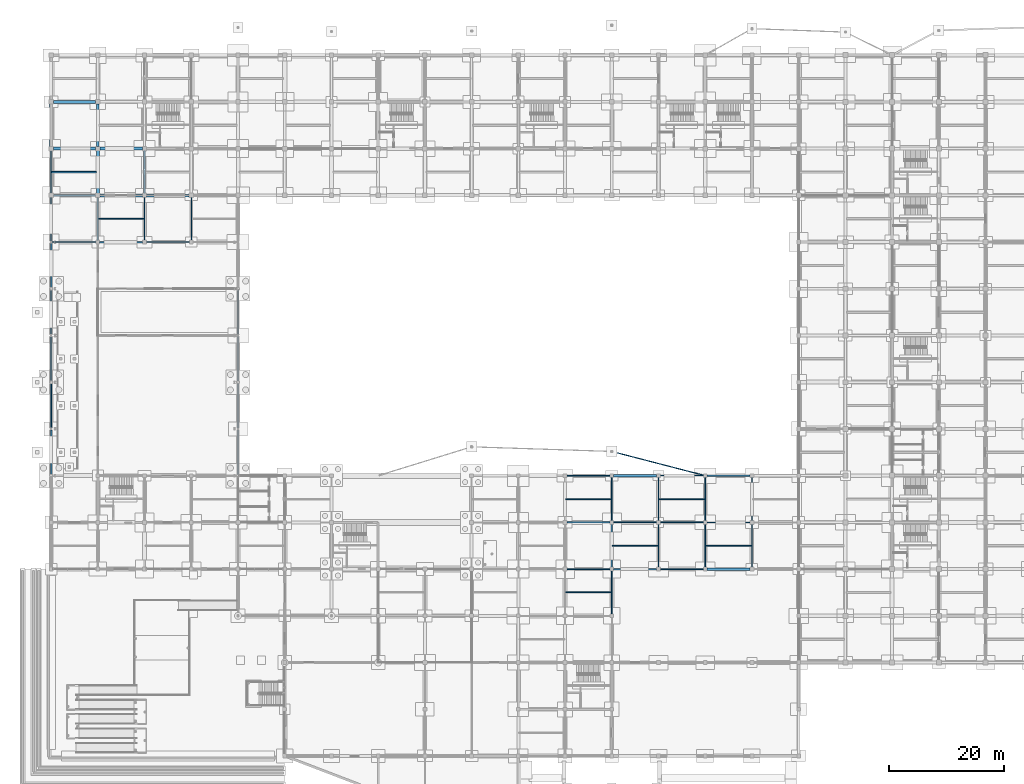
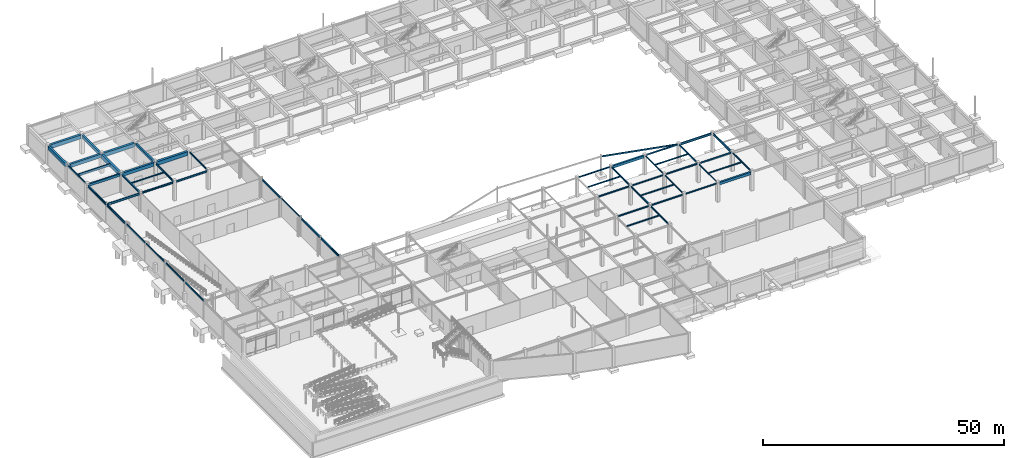
# One storey, part 38 of 67: 56 beams.
"""IFC4 building model written with IfcOpenShell, lengths in metres."""

from ifc_helpers import new_model, si_unit, direction, frame, origin, origin_2d, place, context, subcontext, project, spatial, rectangle, hollow_rectangle, i_section, extrude, material, material_profile, profile_set, type_object, element, save


model = new_model("IFC4")

# Units and contexts
model_context = context("Model", 3, precision=1e-05, world=origin(), true_north=direction((0.0, 1.0)))
body_context = subcontext(model_context, "Body", "Model", "MODEL_VIEW")
ifc_project = project(units=[si_unit("LENGTHUNIT", "METRE"), si_unit("AREAUNIT", "SQUARE_METRE"), si_unit("VOLUMEUNIT", "CUBIC_METRE"), si_unit("PLANEANGLEUNIT", "RADIAN"), si_unit("MASSUNIT", "GRAM", prefix="KILO")], contexts=[model_context])

# Site, building, storey
site_placement = place(None, origin())
site = spatial("IfcSite", under=ifc_project, at=site_placement, CompositionType="ELEMENT")
building_placement = place(site_placement, origin())
building = spatial("IfcBuilding", under=site, at=building_placement, Name="Vaudrelin Polytechnic", CompositionType="ELEMENT")
storey_placement = place(building_placement, frame((0.0, 0.0, -5.10009765625)))
storey = spatial("IfcBuildingStorey", under=building, at=storey_placement, Name="B1", CompositionType="ELEMENT", Elevation=-5.10009765625)

# Beams
ifc_material_1 = material(Name="Concrete 40 MPa", Category="concrete")
ifc_material_profile_1 = material_profile(ifc_material_1, rectangle(XDim=0.35009765625, YDim=0.60009765625, at=origin_2d()), Name="RC350x600")
ifc_profile_set_1 = profile_set([ifc_material_profile_1], Name="Concrete 40 MPa")
beam_type_1 = type_object("IfcBeamType", Name="BM-BM-RC3560", PredefinedType="BEAM", material=ifc_profile_set_1)
beam_1_placement = place(storey_placement, frame((0.37109375, 97.199951171875, 4.420166015625), z_axis=(1.0, 0.0, 0.0), x_axis=(0.0, 1.0, 0.0)))
element("IfcBeam", 1, at=beam_1_placement, inside=storey, type_object=beam_type_1, Name="B1 X-beam 1-13", PredefinedType="BEAM", context=body_context, shape_type="SweptSolid", body=[
    extrude(rectangle(XDim=0.35009765625, YDim=0.60009765625, at=origin_2d()), origin(), (0.0, 0.0, 1.0), 7.35791015625),
])
ifc_material_profile_2 = material_profile(ifc_material_1, rectangle(XDim=0.39990234375, YDim=0.64990234375, at=origin_2d()), Name="RC400x650")
ifc_profile_set_2 = profile_set([ifc_material_profile_2], Name="Concrete 40 MPa")
beam_type_2 = type_object("IfcBeamType", Name="BM-BM-RC4065", PredefinedType="BEAM", material=ifc_profile_set_2)
beam_2_placement = place(storey_placement, frame((16.199951171875, 97.56005859375, 4.455078125), z_axis=(0.0, 1.0, 0.0), x_axis=(-1.0, 0.0, 0.0)))
element("IfcBeam", 2, at=beam_2_placement, inside=storey, type_object=beam_type_2, Name="B1 Y-beam 3-13", PredefinedType="BEAM", context=body_context, shape_type="SweptSolid", body=[
    extrude(rectangle(XDim=0.39990234375, YDim=0.64990234375, at=origin_2d()), origin(), (0.0, 0.0, 1.0), 7.3798828125),
])
ifc_material_profile_3 = material_profile(ifc_material_1, rectangle(XDim=0.449951171875, YDim=0.75, at=origin_2d()), Name="RC450x750")
ifc_profile_set_3 = profile_set([ifc_material_profile_3], Name="Concrete 40 MPa")
beam_type_3 = type_object("IfcBeamType", Name="BM-BM-RC4575", PredefinedType="BEAM", material=ifc_profile_set_3)
beam_3_placement = place(storey_placement, frame((8.10009765625, 105.659912109375, 4.405029296875), z_axis=(0.0, 1.0, 0.0), x_axis=(-1.0, 0.0, 0.0)))
element("IfcBeam", 3, at=beam_3_placement, inside=storey, type_object=beam_type_3, Name="B1 Y-beam 2-14", PredefinedType="BEAM", context=body_context, shape_type="SweptSolid", body=[
    extrude(rectangle(XDim=0.449951171875, YDim=0.75, at=origin_2d()), origin(), (0.0, 0.0, 1.0), 7.380126953125),
])
ifc_material_profile_4 = material_profile(ifc_material_1, rectangle(XDim=0.5, YDim=0.85009765625, at=origin_2d()), Name="RC500x850")
ifc_profile_set_4 = profile_set([ifc_material_profile_4], Name="Concrete 40 MPa")
beam_type_4 = type_object("IfcBeamType", Name="BM-BM-RC5085", PredefinedType="BEAM", material=ifc_profile_set_4)
beam_4_placement = place(storey_placement, frame((0.0, 105.659912109375, 4.35498046875), z_axis=(0.0, 1.0, 0.0), x_axis=(-1.0, 0.0, 0.0)))
element("IfcBeam", 4, at=beam_4_placement, inside=storey, type_object=beam_type_4, Name="B1 Y-beam 1-14", PredefinedType="BEAM", context=body_context, shape_type="SweptSolid", body=[
    extrude(rectangle(XDim=0.5, YDim=0.85009765625, at=origin_2d()), origin(), (0.0, 0.0, 1.0), 7.380126953125),
])
beam_5_placement = place(storey_placement, frame((0.37109375, 105.300048828125, 4.35498046875), z_axis=(1.0, 0.0, 0.0), x_axis=(0.0, 1.0, 0.0)))
element("IfcBeam", 5, at=beam_5_placement, inside=storey, type_object=beam_type_4, Name="B1 X-beam 1-14", PredefinedType="BEAM", context=body_context, shape_type="SweptSolid", body=[
    extrude(rectangle(XDim=0.5, YDim=0.85009765625, at=origin_2d()), origin(), (0.0, 0.0, 1.0), 7.35791015625),
])
beam_6_placement = place(storey_placement, frame((8.470947265625, 97.199951171875, 4.295166015625), z_axis=(1.0, 0.0, 0.0), x_axis=(0.0, 1.0, 0.0)))
element("IfcBeam", 6, at=beam_6_placement, inside=storey, type_object=beam_type_4, Name="B1 X-beam 2-13", PredefinedType="BEAM", context=body_context, shape_type="SweptSolid", body=[
    extrude(rectangle(XDim=0.5, YDim=0.85009765625, at=origin_2d()), origin(), (0.0, 0.0, 1.0), 7.358154296875),
])
ifc_material_2 = material(Name="Concrete 50 MPa", Category="concrete")
ifc_material_profile_5 = material_profile(ifc_material_2, rectangle(XDim=0.550048828125, YDim=0.949951171875, at=origin_2d()), Name="RC550x950")
ifc_profile_set_5 = profile_set([ifc_material_profile_5], Name="Concrete 50 MPa")
beam_type_5 = type_object("IfcBeamType", Name="BM-BM-RC5595", PredefinedType="BEAM", material=ifc_profile_set_5)
beam_7_placement = place(storey_placement, frame((8.10009765625, 97.56005859375, 4.30517578125), z_axis=(0.0, 1.0, 0.0), x_axis=(-1.0, 0.0, 0.0)))
element("IfcBeam", 7, at=beam_7_placement, inside=storey, type_object=beam_type_5, Name="B1 Y-beam 2-13", PredefinedType="BEAM", context=body_context, shape_type="SweptSolid", body=[
    extrude(rectangle(XDim=0.550048828125, YDim=0.949951171875, at=origin_2d()), origin(), (0.0, 0.0, 1.0), 7.3798828125),
])
beam_8_placement = place(storey_placement, frame((0.37109375, 113.39990234375, 4.30517578125), z_axis=(1.0, 0.0, 0.0), x_axis=(0.0, 1.0, 0.0)))
element("IfcBeam", 8, at=beam_8_placement, inside=storey, type_object=beam_type_5, Name="B1 X-beam 1-15", PredefinedType="BEAM", context=body_context, shape_type="SweptSolid", body=[
    extrude(rectangle(XDim=0.550048828125, YDim=0.949951171875, at=origin_2d()), origin(), (0.0, 0.0, 1.0), 7.35791015625),
])
beam_9_placement = place(storey_placement, frame((8.470947265625, 105.300048828125, 4.30517578125), z_axis=(1.0, 0.0, 0.0), x_axis=(0.0, 1.0, 0.0)))
element("IfcBeam", 9, at=beam_9_placement, inside=storey, type_object=beam_type_5, Name="B1 X-beam 2-14", PredefinedType="BEAM", context=body_context, shape_type="SweptSolid", body=[
    extrude(rectangle(XDim=0.550048828125, YDim=0.949951171875, at=origin_2d()), origin(), (0.0, 0.0, 1.0), 7.358154296875),
])
beam_10_placement = place(storey_placement, frame((16.571044921875, 97.199951171875, 4.2451171875), z_axis=(1.0, 0.0, 0.0), x_axis=(0.0, 1.0, 0.0)))
element("IfcBeam", 10, at=beam_10_placement, inside=storey, type_object=beam_type_5, Name="B1 X-beam 3-13", PredefinedType="BEAM", context=body_context, shape_type="SweptSolid", body=[
    extrude(rectangle(XDim=0.550048828125, YDim=0.949951171875, at=origin_2d()), origin(), (0.0, 0.0, 1.0), 7.35791015625),
])
ifc_material_3 = material(Name="Steel CSA G40.21 350W", Category="steel")
ifc_material_profile_6 = material_profile(ifc_material_3, i_section(OverallWidth=0.178955078125, OverallDepth=0.409912109375, WebThickness=0.0087890625, FlangeThickness=0.014404296875, FilletRadius=0.01611328125, at=origin_2d()), Name="W410x67")
ifc_profile_set_6 = profile_set([ifc_material_profile_6], Name="Steel CSA G40.21 350W")
beam_type_6 = type_object("IfcBeamType", Name="BM-BM-W410", PredefinedType="BEAM", material=ifc_profile_set_6)
beam_11_placement = place(storey_placement, frame((24.300048828125, 89.409912109375, 4.51513671875), z_axis=(0.0, 1.0, 0.0), x_axis=(-1.0, 0.0, 0.0)))
element("IfcBeam", 11, at=beam_11_placement, inside=storey, type_object=beam_type_6, Name="B1 Y-beam 4-12", PredefinedType="BEAM", context=body_context, shape_type="SweptSolid", body=[
    extrude(i_section(OverallWidth=0.178955078125, OverallDepth=0.409912109375, WebThickness=0.0087890625, FlangeThickness=0.014404296875, FilletRadius=0.01611328125, at=origin_2d()), origin(), (0.0, 0.0, 1.0), 7.43017578125),
])
ifc_material_4 = material(Name="Steel CSA G40.21 350WT", Category="steel")
ifc_material_profile_7 = material_profile(ifc_material_4, i_section(OverallWidth=0.260009765625, OverallDepth=0.4150390625, WebThickness=0.010009765625, FlangeThickness=0.016845703125, FilletRadius=0.01611328125, at=origin_2d()), Name="W410x100")
ifc_profile_set_7 = profile_set([ifc_material_profile_7], Name="Steel CSA G40.21 350WT")
beam_type_7 = type_object("IfcBeamType", Name="BM-BM-W410H", PredefinedType="SPANDREL", material=ifc_profile_set_7)
beam_12_placement = place(storey_placement, frame((8.4208984375, 89.10009765625, 4.5126953125), z_axis=(1.0, 0.0, 0.0), x_axis=(0.0, 1.0, 0.0)))
element("IfcBeam", 12, at=beam_12_placement, inside=storey, type_object=beam_type_7, Name="B1 X-beam 2-12", PredefinedType="SPANDREL", context=body_context, shape_type="SweptSolid", body=[
    extrude(i_section(OverallWidth=0.260009765625, OverallDepth=0.4150390625, WebThickness=0.010009765625, FlangeThickness=0.016845703125, FilletRadius=0.01611328125, at=origin_2d()), origin(), (0.0, 0.0, 1.0), 7.4580078125),
])
ifc_material_profile_8 = material_profile(ifc_material_4, i_section(OverallWidth=0.19091796875, OverallDepth=0.4599609375, WebThickness=0.010009765625, FlangeThickness=0.01611328125, FilletRadius=0.01806640625, at=origin_2d()), Name="W460x82")
ifc_profile_set_8 = profile_set([ifc_material_profile_8], Name="Steel CSA G40.21 350WT")
beam_type_8 = type_object("IfcBeamType", Name="BM-BM-W460", PredefinedType="BEAM", material=ifc_profile_set_8)
beam_13_placement = place(storey_placement, frame((16.199951171875, 89.409912109375, 4.489990234375), z_axis=(0.0, 1.0, 0.0), x_axis=(-1.0, 0.0, 0.0)))
element("IfcBeam", 13, at=beam_13_placement, inside=storey, type_object=beam_type_8, Name="B1 Y-beam 3-12", PredefinedType="BEAM", context=body_context, shape_type="SweptSolid", body=[
    extrude(i_section(OverallWidth=0.19091796875, OverallDepth=0.4599609375, WebThickness=0.010009765625, FlangeThickness=0.01611328125, FilletRadius=0.01806640625, at=origin_2d()), origin(), (0.0, 0.0, 1.0), 7.43017578125),
])
beam_14_placement = place(storey_placement, frame((32.39990234375, 73.0615234375, 4.489990234375), z_axis=(0.0, 1.0, 0.0), x_axis=(-1.0, 0.0, 0.0)))
element("IfcBeam", 14, at=beam_14_placement, inside=storey, type_object=beam_type_8, Name="B1 Y-beam 5-10", PredefinedType="BEAM", context=body_context, shape_type="SweptSolid", body=[
    extrude(i_section(OverallWidth=0.19091796875, OverallDepth=0.4599609375, WebThickness=0.010009765625, FlangeThickness=0.01611328125, FilletRadius=0.01806640625, at=origin_2d()), origin(), (0.0, 0.0, 1.0), 7.699462890625),
])
beam_15_placement = place(storey_placement, frame((16.52099609375, 89.10009765625, 4.489990234375), z_axis=(1.0, 0.0, 0.0), x_axis=(0.0, 1.0, 0.0)))
element("IfcBeam", 15, at=beam_15_placement, inside=storey, type_object=beam_type_8, Name="B1 X-beam 3-12", PredefinedType="BEAM", context=body_context, shape_type="SweptSolid", body=[
    extrude(i_section(OverallWidth=0.19091796875, OverallDepth=0.4599609375, WebThickness=0.010009765625, FlangeThickness=0.01611328125, FilletRadius=0.01806640625, at=origin_2d()), origin(), (0.0, 0.0, 1.0), 7.4580078125),
])
ifc_material_profile_9 = material_profile(ifc_material_3, i_section(OverallWidth=0.280029296875, OverallDepth=0.462890625, WebThickness=0.0107421875, FlangeThickness=0.017333984375, FilletRadius=0.01806640625, at=origin_2d()), Name="W460x113")
ifc_profile_set_9 = profile_set([ifc_material_profile_9], Name="Steel CSA G40.21 350W")
beam_type_9 = type_object("IfcBeamType", Name="BM-BM-W460H", PredefinedType="BEAM", material=ifc_profile_set_9)
beam_16_placement = place(storey_placement, frame((8.10009765625, 89.409912109375, 4.488525390625), z_axis=(0.0, 1.0, 0.0), x_axis=(-1.0, 0.0, 0.0)))
element("IfcBeam", 16, at=beam_16_placement, inside=storey, type_object=beam_type_9, Name="B1 Y-beam 2-12", PredefinedType="BEAM", context=body_context, shape_type="SweptSolid", body=[
    extrude(i_section(OverallWidth=0.280029296875, OverallDepth=0.462890625, WebThickness=0.0107421875, FlangeThickness=0.017333984375, FilletRadius=0.01806640625, at=origin_2d()), origin(), (0.0, 0.0, 1.0), 7.43017578125),
])
ifc_material_profile_10 = material_profile(ifc_material_3, i_section(OverallWidth=0.208984375, OverallDepth=0.532958984375, WebThickness=0.01025390625, FlangeThickness=0.015625, FilletRadius=0.01904296875, at=origin_2d()), Name="W530x92")
ifc_profile_set_10 = profile_set([ifc_material_profile_10], Name="Steel CSA G40.21 350W")
beam_type_10 = type_object("IfcBeamType", Name="BM-BM-W530", PredefinedType="BEAM", material=ifc_profile_set_10)
beam_17_placement = place(storey_placement, frame((0.0, 89.261474609375, 4.45361328125), z_axis=(0.0, 1.0, 0.0), x_axis=(-1.0, 0.0, 0.0)))
element("IfcBeam", 17, at=beam_17_placement, inside=storey, type_object=beam_type_10, Name="B1 Y-beam 1-12", PredefinedType="BEAM", context=body_context, shape_type="SweptSolid", body=[
    extrude(i_section(OverallWidth=0.208984375, OverallDepth=0.532958984375, WebThickness=0.01025390625, FlangeThickness=0.015625, FilletRadius=0.01904296875, at=origin_2d()), origin(), (0.0, 0.0, 1.0), 7.57861328125),
])
beam_18_placement = place(storey_placement, frame((32.39990234375, 56.861572265625, 4.45361328125), z_axis=(0.0, 1.0, 0.0), x_axis=(-1.0, 0.0, 0.0)))
element("IfcBeam", 18, at=beam_18_placement, inside=storey, type_object=beam_type_10, Name="B1 Y-beam 5-8", PredefinedType="BEAM", context=body_context, shape_type="SweptSolid", body=[
    extrude(i_section(OverallWidth=0.208984375, OverallDepth=0.532958984375, WebThickness=0.01025390625, FlangeThickness=0.015625, FilletRadius=0.01904296875, at=origin_2d()), origin(), (0.0, 0.0, 1.0), 7.699462890625),
])
beam_19_placement = place(storey_placement, frame((0.123046875, 89.10009765625, 4.45361328125), z_axis=(1.0, 0.0, 0.0), x_axis=(0.0, 1.0, 0.0)))
element("IfcBeam", 19, at=beam_19_placement, inside=storey, type_object=beam_type_10, Name="B1 X-beam 1-12", PredefinedType="BEAM", context=body_context, shape_type="SweptSolid", body=[
    extrude(i_section(OverallWidth=0.208984375, OverallDepth=0.532958984375, WebThickness=0.01025390625, FlangeThickness=0.015625, FilletRadius=0.01904296875, at=origin_2d()), origin(), (0.0, 0.0, 1.0), 7.656005859375),
])
ifc_material_profile_11 = material_profile(ifc_material_3, i_section(OverallWidth=0.214111328125, OverallDepth=0.549072265625, WebThickness=0.0146484375, FlangeThickness=0.023681640625, FilletRadius=0.01904296875, at=origin_2d()), Name="W530x138")
ifc_profile_set_11 = profile_set([ifc_material_profile_11], Name="Steel CSA G40.21 350W")
beam_type_11 = type_object("IfcBeamType", Name="BM-BM-W530H", PredefinedType="BEAM", material=ifc_profile_set_11)
for number, where, z_axis, x_axis, name in (
    (20, (0.0, 81.239013671875, 4.445556640625), (0.0, 1.0, 0.0), (-1.0, 0.0, 0.0), "B1 Y-beam 1-11"),
    (21, (32.39990234375, 48.839111328125, 4.445556640625), (0.0, 1.0, 0.0), (-1.0, 0.0, 0.0), "B1 Y-beam 5-7"),
):
    element("IfcBeam", number, at=place(storey_placement, frame(where, z_axis=z_axis, x_axis=x_axis)), inside=storey, type_object=beam_type_11, Name=name, PredefinedType="BEAM", context=body_context, shape_type="SweptSolid", body=[
        extrude(i_section(OverallWidth=0.214111328125, OverallDepth=0.549072265625, WebThickness=0.0146484375, FlangeThickness=0.023681640625, FilletRadius=0.01904296875, at=origin_2d()), origin(), (0.0, 0.0, 1.0), 7.699462890625),
    ])
beam_20_placement = place(storey_placement, frame((121.5, 40.81005859375, 4.505615234375), z_axis=(0.0, 1.0, 0.0), x_axis=(-1.0, 0.0, 0.0)))
element("IfcBeam", 22, at=beam_20_placement, inside=storey, type_object=beam_type_11, Name="B1 Y-beam 16-6", PredefinedType="BEAM", context=body_context, shape_type="SweptSolid", body=[
    extrude(i_section(OverallWidth=0.214111328125, OverallDepth=0.549072265625, WebThickness=0.0146484375, FlangeThickness=0.023681640625, FilletRadius=0.01904296875, at=origin_2d()), origin(), (0.0, 0.0, 1.0), 7.47998046875),
])
beam_21_placement = place(storey_placement, frame((113.720947265625, 48.60009765625, 4.505615234375), z_axis=(1.0, 0.0, 0.0), x_axis=(0.0, 1.0, 0.0)))
element("IfcBeam", 23, at=beam_21_placement, inside=storey, type_object=beam_type_11, Name="B1 X-beam 15-7", PredefinedType="BEAM", context=body_context, shape_type="SweptSolid", body=[
    extrude(i_section(OverallWidth=0.214111328125, OverallDepth=0.549072265625, WebThickness=0.0146484375, FlangeThickness=0.023681640625, FilletRadius=0.01904296875, at=origin_2d()), origin(), (0.0, 0.0, 1.0), 7.4580078125),
])
ifc_material_profile_12 = material_profile(ifc_material_1, rectangle(XDim=0.300048828125, YDim=0.5, at=origin_2d()), Name="RC300x500")
ifc_profile_set_12 = profile_set([ifc_material_profile_12], Name="Concrete 40 MPa")
beam_type_12 = type_object("IfcBeamType", Name="BM-JS-RC3050", PredefinedType="JOIST", material=ifc_profile_set_12)
beam_22_placement = place(storey_placement, frame((0.097412109375, 101.25, 4.530029296875), z_axis=(1.0, 0.0, 0.0), x_axis=(0.0, 1.0, 0.0)))
element("IfcBeam", 24, at=beam_22_placement, inside=storey, type_object=beam_type_12, Name="B1 floor joist 1-13", PredefinedType="JOIST", context=body_context, shape_type="SweptSolid", body=[
    extrude(rectangle(XDim=0.300048828125, YDim=0.5, at=origin_2d()), origin(), (0.0, 0.0, 1.0), 7.731689453125),
])
ifc_material_profile_13 = material_profile(ifc_material_3, i_section(OverallWidth=0.14794921875, OverallDepth=0.26611328125, WebThickness=0.007568359375, FlangeThickness=0.012939453125, FilletRadius=0.012939453125, at=origin_2d()), Name="W250x45")
ifc_profile_set_13 = profile_set([ifc_material_profile_13], Name="Steel CSA G40.21 350W")
beam_type_13 = type_object("IfcBeamType", Name="BM-JS-W250", PredefinedType="JOIST", material=ifc_profile_set_13)
for number, where, z_axis, x_axis, name in (
    (25, (105.300048828125, 40.81005859375, 4.647216796875), (0.0, 1.0, 0.0), (-1.0, 0.0, 0.0), "B1 Y-beam 14-6"),
    (26, (113.39990234375, 32.7099609375, 4.647216796875), (0.0, 1.0, 0.0), (-1.0, 0.0, 0.0), "B1 Y-beam 15-5"),
):
    element("IfcBeam", number, at=place(storey_placement, frame(where, z_axis=z_axis, x_axis=x_axis)), inside=storey, type_object=beam_type_13, Name=name, PredefinedType="JOIST", context=body_context, shape_type="SweptSolid", body=[
        extrude(i_section(OverallWidth=0.14794921875, OverallDepth=0.26611328125, WebThickness=0.007568359375, FlangeThickness=0.012939453125, FilletRadius=0.012939453125, at=origin_2d()), origin(), (0.0, 0.0, 1.0), 7.47998046875),
    ])
beam_23_placement = place(storey_placement, frame((105.62109375, 40.5, 4.647216796875), z_axis=(1.0, 0.0, 0.0), x_axis=(0.0, 1.0, 0.0)))
element("IfcBeam", 27, at=beam_23_placement, inside=storey, type_object=beam_type_13, Name="B1 X-beam 14-6", PredefinedType="JOIST", context=body_context, shape_type="SweptSolid", body=[
    extrude(i_section(OverallWidth=0.14794921875, OverallDepth=0.26611328125, WebThickness=0.007568359375, FlangeThickness=0.012939453125, FilletRadius=0.012939453125, at=origin_2d()), origin(), (0.0, 0.0, 1.0), 7.4580078125),
])
ifc_material_profile_14 = material_profile(ifc_material_3, i_section(OverallWidth=0.1669921875, OverallDepth=0.31689453125, WebThickness=0.007568359375, FlangeThickness=0.01318359375, FilletRadius=0.013916015625, at=origin_2d()), Name="W310x52")
ifc_profile_set_14 = profile_set([ifc_material_profile_14], Name="Steel CSA G40.21 350W")
beam_type_14 = type_object("IfcBeamType", Name="BM-JS-W310", PredefinedType="JOIST", material=ifc_profile_set_14)
beam_24_placement = place(storey_placement, frame((0.0, 56.861572265625, 4.5615234375), z_axis=(0.0, 1.0, 0.0), x_axis=(-1.0, 0.0, 0.0)))
element("IfcBeam", 28, at=beam_24_placement, inside=storey, type_object=beam_type_14, Name="B1 Y-beam 1-8", PredefinedType="JOIST", context=body_context, shape_type="SweptSolid", body=[
    extrude(i_section(OverallWidth=0.1669921875, OverallDepth=0.31689453125, WebThickness=0.007568359375, FlangeThickness=0.01318359375, FilletRadius=0.013916015625, at=origin_2d()), origin(), (0.0, 0.0, 1.0), 7.699462890625),
])
for number, where, z_axis, x_axis, name in (
    (29, (97.199951171875, 40.81005859375, 4.62158203125), (0.0, 1.0, 0.0), (-1.0, 0.0, 0.0), "B1 Y-beam 13-6"),
    (30, (105.300048828125, 32.7099609375, 4.62158203125), (0.0, 1.0, 0.0), (-1.0, 0.0, 0.0), "B1 Y-beam 14-5"),
):
    element("IfcBeam", number, at=place(storey_placement, frame(where, z_axis=z_axis, x_axis=x_axis)), inside=storey, type_object=beam_type_14, Name=name, PredefinedType="JOIST", context=body_context, shape_type="SweptSolid", body=[
        extrude(i_section(OverallWidth=0.1669921875, OverallDepth=0.31689453125, WebThickness=0.007568359375, FlangeThickness=0.01318359375, FilletRadius=0.013916015625, at=origin_2d()), origin(), (0.0, 0.0, 1.0), 7.47998046875),
    ])
beam_25_placement = place(storey_placement, frame((8.236083984375, 93.14990234375, 4.5615234375), z_axis=(1.0, 0.0, 0.0), x_axis=(0.0, 1.0, 0.0)))
element("IfcBeam", 31, at=beam_25_placement, inside=storey, type_object=beam_type_14, Name="B1 floor joist 2-12", PredefinedType="JOIST", context=body_context, shape_type="SweptSolid", body=[
    extrude(i_section(OverallWidth=0.1669921875, OverallDepth=0.31689453125, WebThickness=0.007568359375, FlangeThickness=0.01318359375, FilletRadius=0.013916015625, at=origin_2d()), origin(), (0.0, 0.0, 1.0), 7.872314453125),
])
beam_26_placement = place(storey_placement, frame((89.185546875, 28.35009765625, 4.58154296875), z_axis=(1.0, 0.0, 0.0), x_axis=(0.0, 1.0, 0.0)))
element("IfcBeam", 32, at=beam_26_placement, inside=storey, type_object=beam_type_14, Name="B1 floor joist 12-4", PredefinedType="JOIST", context=body_context, shape_type="SweptSolid", body=[
    extrude(i_section(OverallWidth=0.1669921875, OverallDepth=0.31689453125, WebThickness=0.007568359375, FlangeThickness=0.01318359375, FilletRadius=0.013916015625, at=origin_2d()), origin(), (0.0, 0.0, 1.0), 7.932373046875),
])
beam_27_placement = place(storey_placement, frame((89.222900390625, 44.550048828125, 4.62158203125), z_axis=(1.0, 0.0, 0.0), x_axis=(0.0, 1.0, 0.0)))
element("IfcBeam", 33, at=beam_27_placement, inside=storey, type_object=beam_type_14, Name="B1 floor joist 12-6", PredefinedType="JOIST", context=body_context, shape_type="SweptSolid", body=[
    extrude(i_section(OverallWidth=0.1669921875, OverallDepth=0.31689453125, WebThickness=0.007568359375, FlangeThickness=0.01318359375, FilletRadius=0.013916015625, at=origin_2d()), origin(), (0.0, 0.0, 1.0), 7.897705078125),
])
beam_28_placement = place(storey_placement, frame((89.4208984375, 48.60009765625, 4.62158203125), z_axis=(1.0, 0.0, 0.0), x_axis=(0.0, 1.0, 0.0)))
element("IfcBeam", 34, at=beam_28_placement, inside=storey, type_object=beam_type_14, Name="B1 X-beam 12-7", PredefinedType="JOIST", context=body_context, shape_type="SweptSolid", body=[
    extrude(i_section(OverallWidth=0.1669921875, OverallDepth=0.31689453125, WebThickness=0.007568359375, FlangeThickness=0.01318359375, FilletRadius=0.013916015625, at=origin_2d()), origin(), (0.0, 0.0, 1.0), 7.4580078125),
])
beam_29_placement = place(storey_placement, frame((97.322998046875, 36.449951171875, 4.62158203125), z_axis=(1.0, 0.0, 0.0), x_axis=(0.0, 1.0, 0.0)))
element("IfcBeam", 35, at=beam_29_placement, inside=storey, type_object=beam_type_14, Name="B1 floor joist 13-5", PredefinedType="JOIST", context=body_context, shape_type="SweptSolid", body=[
    extrude(i_section(OverallWidth=0.1669921875, OverallDepth=0.31689453125, WebThickness=0.007568359375, FlangeThickness=0.01318359375, FilletRadius=0.013916015625, at=origin_2d()), origin(), (0.0, 0.0, 1.0), 7.8974609375),
])
for number, where, z_axis, x_axis, name in (
    (36, (97.52099609375, 40.5, 4.62158203125), (1.0, 0.0, 0.0), (0.0, 1.0, 0.0), "B1 X-beam 13-6"),
    (37, (105.62109375, 32.39990234375, 4.58154296875), (1.0, 0.0, 0.0), (0.0, 1.0, 0.0), "B1 X-beam 14-5"),
):
    element("IfcBeam", number, at=place(storey_placement, frame(where, z_axis=z_axis, x_axis=x_axis)), inside=storey, type_object=beam_type_14, Name=name, PredefinedType="JOIST", context=body_context, shape_type="SweptSolid", body=[
        extrude(i_section(OverallWidth=0.1669921875, OverallDepth=0.31689453125, WebThickness=0.007568359375, FlangeThickness=0.01318359375, FilletRadius=0.013916015625, at=origin_2d()), origin(), (0.0, 0.0, 1.0), 7.4580078125),
    ])
beam_30_placement = place(storey_placement, frame((105.3701171875, 44.550048828125, 4.62158203125), z_axis=(1.0, 0.0, 0.0), x_axis=(0.0, 1.0, 0.0)))
element("IfcBeam", 38, at=beam_30_placement, inside=storey, type_object=beam_type_14, Name="B1 floor joist 14-6", PredefinedType="JOIST", context=body_context, shape_type="SweptSolid", body=[
    extrude(i_section(OverallWidth=0.1669921875, OverallDepth=0.31689453125, WebThickness=0.007568359375, FlangeThickness=0.01318359375, FilletRadius=0.013916015625, at=origin_2d()), origin(), (0.0, 0.0, 1.0), 7.932373046875),
])
beam_31_placement = place(storey_placement, frame((113.469970703125, 36.449951171875, 4.62158203125), z_axis=(1.0, 0.0, 0.0), x_axis=(0.0, 1.0, 0.0)))
element("IfcBeam", 39, at=beam_31_placement, inside=storey, type_object=beam_type_14, Name="B1 floor joist 15-5", PredefinedType="JOIST", context=body_context, shape_type="SweptSolid", body=[
    extrude(i_section(OverallWidth=0.1669921875, OverallDepth=0.31689453125, WebThickness=0.007568359375, FlangeThickness=0.01318359375, FilletRadius=0.013916015625, at=origin_2d()), origin(), (0.0, 0.0, 1.0), 7.9326171875),
])
ifc_material_profile_15 = material_profile(ifc_material_4, i_section(OverallWidth=0.25390625, OverallDepth=0.305908203125, WebThickness=0.0087890625, FlangeThickness=0.0146484375, FilletRadius=0.01611328125, at=origin_2d()), Name="W310x79")
ifc_profile_set_15 = profile_set([ifc_material_profile_15], Name="Steel CSA G40.21 350WT")
beam_type_15 = type_object("IfcBeamType", Name="BM-JS-W310H", PredefinedType="SPANDREL", material=ifc_profile_set_15)
beam_32_placement = place(storey_placement, frame((0.0, 48.839111328125, 4.567138671875), z_axis=(0.0, 1.0, 0.0), x_axis=(-1.0, 0.0, 0.0)))
element("IfcBeam", 40, at=beam_32_placement, inside=storey, type_object=beam_type_15, Name="B1 Y-beam 1-7", PredefinedType="SPANDREL", context=body_context, shape_type="SweptSolid", body=[
    extrude(i_section(OverallWidth=0.25390625, OverallDepth=0.305908203125, WebThickness=0.0087890625, FlangeThickness=0.0146484375, FilletRadius=0.01611328125, at=origin_2d()), origin(), (0.0, 0.0, 1.0), 7.699462890625),
])
beam_33_placement = place(storey_placement, frame((97.199951171875, 32.7099609375, 4.627197265625), z_axis=(0.0, 1.0, 0.0), x_axis=(-1.0, 0.0, 0.0)))
element("IfcBeam", 41, at=beam_33_placement, inside=storey, type_object=beam_type_15, Name="B1 Y-beam 13-5", PredefinedType="SPANDREL", context=body_context, shape_type="SweptSolid", body=[
    extrude(i_section(OverallWidth=0.25390625, OverallDepth=0.305908203125, WebThickness=0.0087890625, FlangeThickness=0.0146484375, FilletRadius=0.01611328125, at=origin_2d()), origin(), (0.0, 0.0, 1.0), 7.47998046875),
])
for number, where, z_axis, x_axis, name in (
    (42, (89.4208984375, 40.5, 4.627197265625), (1.0, 0.0, 0.0), (0.0, 1.0, 0.0), "B1 X-beam 12-6"),
    (43, (97.52099609375, 32.39990234375, 4.587158203125), (1.0, 0.0, 0.0), (0.0, 1.0, 0.0), "B1 X-beam 13-5"),
):
    element("IfcBeam", number, at=place(storey_placement, frame(where, z_axis=z_axis, x_axis=x_axis)), inside=storey, type_object=beam_type_15, Name=name, PredefinedType="SPANDREL", context=body_context, shape_type="SweptSolid", body=[
        extrude(i_section(OverallWidth=0.25390625, OverallDepth=0.305908203125, WebThickness=0.0087890625, FlangeThickness=0.0146484375, FilletRadius=0.01611328125, at=origin_2d()), origin(), (0.0, 0.0, 1.0), 7.4580078125),
    ])
ifc_material_profile_16 = material_profile(ifc_material_3, i_section(OverallWidth=0.172119140625, OverallDepth=0.35791015625, WebThickness=0.0078125, FlangeThickness=0.01318359375, FilletRadius=0.014892578125, at=origin_2d()), Name="W360x57")
ifc_profile_set_16 = profile_set([ifc_material_profile_16], Name="Steel CSA G40.21 350W")
beam_type_16 = type_object("IfcBeamType", Name="BM-JS-W360", PredefinedType="JOIST", material=ifc_profile_set_16)
beam_34_placement = place(storey_placement, frame((97.199951171875, 24.610107421875, 4.56103515625), z_axis=(0.0, 1.0, 0.0), x_axis=(-1.0, 0.0, 0.0)))
element("IfcBeam", 44, at=beam_34_placement, inside=storey, type_object=beam_type_16, Name="B1 Y-beam 13-4", PredefinedType="JOIST", context=body_context, shape_type="SweptSolid", body=[
    extrude(i_section(OverallWidth=0.172119140625, OverallDepth=0.35791015625, WebThickness=0.0078125, FlangeThickness=0.01318359375, FilletRadius=0.014892578125, at=origin_2d()), origin(), (0.0, 0.0, 1.0), 7.47998046875),
])
beam_35_placement = place(storey_placement, frame((89.4208984375, 32.39990234375, 4.56103515625), z_axis=(1.0, 0.0, 0.0), x_axis=(0.0, 1.0, 0.0)))
element("IfcBeam", 45, at=beam_35_placement, inside=storey, type_object=beam_type_16, Name="B1 X-beam 12-5", PredefinedType="JOIST", context=body_context, shape_type="SweptSolid", body=[
    extrude(i_section(OverallWidth=0.172119140625, OverallDepth=0.35791015625, WebThickness=0.0078125, FlangeThickness=0.01318359375, FilletRadius=0.014892578125, at=origin_2d()), origin(), (0.0, 0.0, 1.0), 7.4580078125),
])
ifc_material_profile_17 = material_profile(ifc_material_4, hollow_rectangle(XDim=0.202880859375, YDim=0.304931640625, WallThickness=0.010986328125, InnerFilletRadius=0.010986328125, OuterFilletRadius=0.022216796875, at=origin_2d()), Name="HSS305x203x11.1")
ifc_profile_set_17 = profile_set([ifc_material_profile_17], Name="Steel CSA G40.21 350WT")
beam_type_17 = type_object("IfcBeamType", Name="BM-SP-HSS30", PredefinedType="SPANDREL", material=ifc_profile_set_17)
beam_36_placement = place(storey_placement, frame((0.0, 65.0390625, 4.567626953125), z_axis=(0.0, 1.0, 0.0), x_axis=(-1.0, 0.0, 0.0)))
element("IfcBeam", 46, at=beam_36_placement, inside=storey, type_object=beam_type_17, Name="B1 Y-beam 1-9", PredefinedType="SPANDREL", context=body_context, shape_type="SweptSolid", body=[
    extrude(hollow_rectangle(XDim=0.202880859375, YDim=0.304931640625, WallThickness=0.010986328125, InnerFilletRadius=0.010986328125, OuterFilletRadius=0.022216796875, at=origin_2d()), origin(), (0.0, 0.0, 1.0), 7.699462890625),
])
beam_37_placement = place(storey_placement, frame((0.0, 97.56005859375, 4.627685546875), z_axis=(0.0, 1.0, 0.0), x_axis=(-1.0, 0.0, 0.0)))
element("IfcBeam", 47, at=beam_37_placement, inside=storey, type_object=beam_type_17, Name="B1 Y-beam 1-13", PredefinedType="SPANDREL", context=body_context, shape_type="SweptSolid", body=[
    extrude(hollow_rectangle(XDim=0.202880859375, YDim=0.304931640625, WallThickness=0.010986328125, InnerFilletRadius=0.010986328125, OuterFilletRadius=0.022216796875, at=origin_2d()), origin(), (0.0, 0.0, 1.0), 7.3798828125),
])
beam_38_placement = place(storey_placement, frame((32.39990234375, 65.0390625, 4.567626953125), z_axis=(0.0, 1.0, 0.0), x_axis=(-1.0, 0.0, 0.0)))
element("IfcBeam", 48, at=beam_38_placement, inside=storey, type_object=beam_type_17, Name="B1 Y-beam 5-9", PredefinedType="SPANDREL", context=body_context, shape_type="SweptSolid", body=[
    extrude(hollow_rectangle(XDim=0.202880859375, YDim=0.304931640625, WallThickness=0.010986328125, InnerFilletRadius=0.010986328125, OuterFilletRadius=0.022216796875, at=origin_2d()), origin(), (0.0, 0.0, 1.0), 7.699462890625),
])
ifc_material_profile_18 = material_profile(ifc_material_4, hollow_rectangle(XDim=0.202880859375, YDim=0.35595703125, WallThickness=0.0126953125, InnerFilletRadius=0.0126953125, OuterFilletRadius=0.025390625, at=origin_2d()), Name="HSS356x203x12.7")
ifc_profile_set_18 = profile_set([ifc_material_profile_18], Name="Steel CSA G40.21 350WT")
beam_type_18 = type_object("IfcBeamType", Name="BM-SP-HSS35", PredefinedType="SPANDREL", material=ifc_profile_set_18)
beam_39_placement = place(storey_placement, frame((0.0, 73.0615234375, 4.5419921875), z_axis=(0.0, 1.0, 0.0), x_axis=(-1.0, 0.0, 0.0)))
element("IfcBeam", 49, at=beam_39_placement, inside=storey, type_object=beam_type_18, Name="B1 Y-beam 1-10", PredefinedType="SPANDREL", context=body_context, shape_type="SweptSolid", body=[
    extrude(hollow_rectangle(XDim=0.202880859375, YDim=0.35595703125, WallThickness=0.0126953125, InnerFilletRadius=0.0126953125, OuterFilletRadius=0.025390625, at=origin_2d()), origin(), (0.0, 0.0, 1.0), 7.699462890625),
])
for number, where, z_axis, x_axis, name in (
    (50, (113.39990234375, 40.81005859375, 4.60205078125), (0.0, 1.0, 0.0), (-1.0, 0.0, 0.0), "B1 Y-beam 15-6"),
    (51, (121.5, 32.7099609375, 4.60205078125), (0.0, 1.0, 0.0), (-1.0, 0.0, 0.0), "B1 Y-beam 16-5"),
):
    element("IfcBeam", number, at=place(storey_placement, frame(where, z_axis=z_axis, x_axis=x_axis)), inside=storey, type_object=beam_type_18, Name=name, PredefinedType="SPANDREL", context=body_context, shape_type="SweptSolid", body=[
        extrude(hollow_rectangle(XDim=0.202880859375, YDim=0.35595703125, WallThickness=0.0126953125, InnerFilletRadius=0.0126953125, OuterFilletRadius=0.025390625, at=origin_2d()), origin(), (0.0, 0.0, 1.0), 7.47998046875),
    ])
for number, where, z_axis, x_axis, name in (
    (52, (105.62109375, 48.60009765625, 4.60205078125), (1.0, 0.0, 0.0), (0.0, 1.0, 0.0), "B1 X-beam 14-7"),
    (53, (113.720947265625, 40.5, 4.60205078125), (1.0, 0.0, 0.0), (0.0, 1.0, 0.0), "B1 X-beam 15-6"),
):
    element("IfcBeam", number, at=place(storey_placement, frame(where, z_axis=z_axis, x_axis=x_axis)), inside=storey, type_object=beam_type_18, Name=name, PredefinedType="SPANDREL", context=body_context, shape_type="SweptSolid", body=[
        extrude(hollow_rectangle(XDim=0.202880859375, YDim=0.35595703125, WallThickness=0.0126953125, InnerFilletRadius=0.0126953125, OuterFilletRadius=0.025390625, at=origin_2d()), origin(), (0.0, 0.0, 1.0), 7.4580078125),
    ])
beam_40_placement = place(storey_placement, frame((97.33544921875, 52.764892578125, 4.60205078125), z_axis=(0.96799462882, -0.250970911811, 0.0), x_axis=(0.250970911811, 0.96799462882, 0.0)))
element("IfcBeam", 54, at=beam_40_placement, inside=storey, type_object=beam_type_18, Name="Sculptural edge beam B1 CT_OR1_B3", PredefinedType="SPANDREL", context=body_context, shape_type="SweptSolid", body=[
    extrude(hollow_rectangle(XDim=0.202880859375, YDim=0.35595703125, WallThickness=0.0126953125, InnerFilletRadius=0.0126953125, OuterFilletRadius=0.025390625, at=origin_2d()), origin(), (0.0, 0.0, 1.0), 16.45556640625),
])
ifc_material_profile_19 = material_profile(ifc_material_1, rectangle(XDim=0.39990234375, YDim=0.64990234375, at=origin_2d()), Name="RC400x650")
ifc_profile_set_19 = profile_set([ifc_material_profile_19], Name="Concrete 40 MPa")
beam_type_19 = type_object("IfcBeamType", Name="BM-SP-RC4065", PredefinedType="SPANDREL", material=ifc_profile_set_19)
for number, where, z_axis, x_axis, name in (
    (55, (97.52099609375, 48.60009765625, 4.455078125), (1.0, 0.0, 0.0), (0.0, 1.0, 0.0), "B1 X-beam 13-7"),
    (56, (113.720947265625, 32.39990234375, 4.4150390625), (1.0, 0.0, 0.0), (0.0, 1.0, 0.0), "B1 X-beam 15-5"),
):
    element("IfcBeam", number, at=place(storey_placement, frame(where, z_axis=z_axis, x_axis=x_axis)), inside=storey, type_object=beam_type_19, Name=name, PredefinedType="SPANDREL", context=body_context, shape_type="SweptSolid", body=[
        extrude(rectangle(XDim=0.39990234375, YDim=0.64990234375, at=origin_2d()), origin(), (0.0, 0.0, 1.0), 7.4580078125),
    ])

save(model, "model.ifc")
